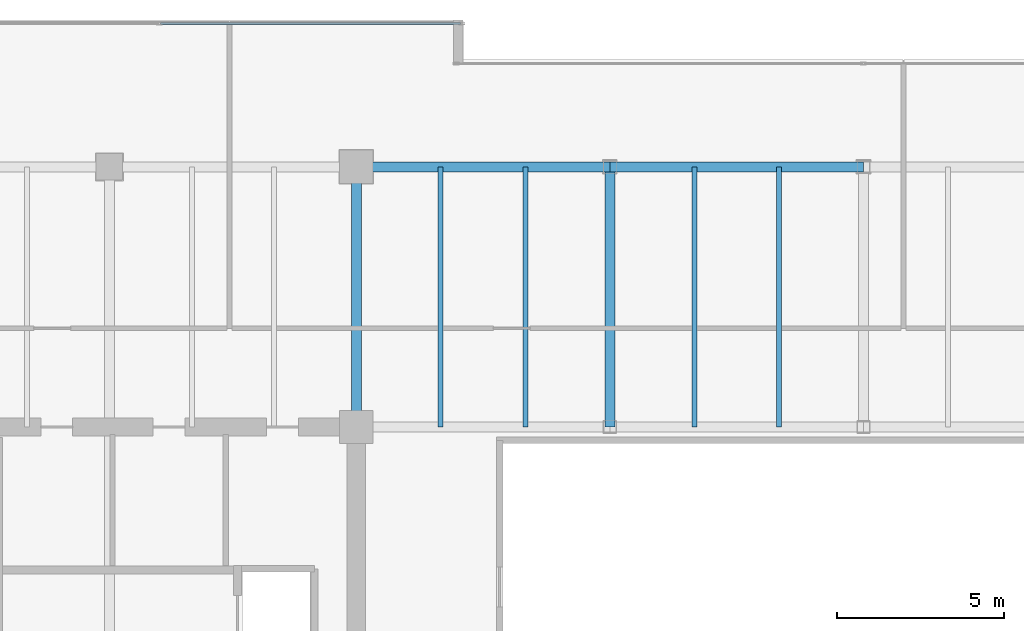
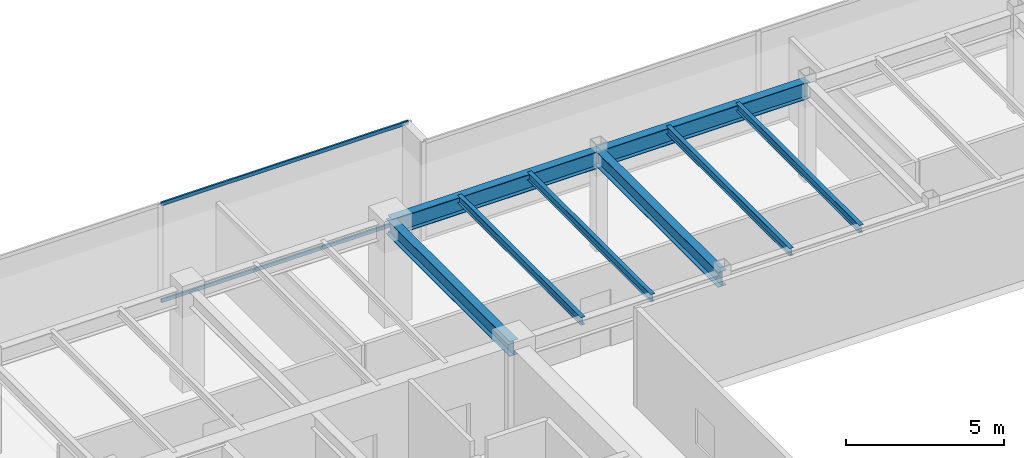
# One storey, part 16 of 35: 8 beams, 2 members, 1 element without a shape of its own.
"""IFC4 building model written with IfcOpenShell, lengths in metres."""

from ifc_helpers import new_model, si_unit, direction, frame, origin, origin_2d, place, context, subcontext, project, spatial, hollow_rectangle, i_section, extrude, source, transform, mapped, material, layer, layer_set, material_profile, profile_set, type_object, type_shapes, element, aggregate, save


model = new_model("IFC4")

# Units and contexts
model_context = context("Model", 3, precision=1e-05, world=origin(), true_north=direction((0.0, 1.0)))
body_context = subcontext(model_context, "Body", "Model", "MODEL_VIEW")
ifc_project = project(units=[si_unit("LENGTHUNIT", "METRE"), si_unit("AREAUNIT", "SQUARE_METRE"), si_unit("VOLUMEUNIT", "CUBIC_METRE"), si_unit("PLANEANGLEUNIT", "RADIAN"), si_unit("MASSUNIT", "GRAM", prefix="KILO")], contexts=[model_context])

# Site, building, storey
site_placement = place(None, origin())
site = spatial("IfcSite", under=ifc_project, at=site_placement, CompositionType="ELEMENT")
building_placement = place(site_placement, origin())
building = spatial("IfcBuilding", under=site, at=building_placement, Name="Haelvirn Gate Laboratories", CompositionType="ELEMENT")
storey_placement = place(building_placement, frame((0.0, 0.0, 221.89990234375)))
storey = spatial("IfcBuildingStorey", under=building, at=storey_placement, Name="L53", CompositionType="ELEMENT", Elevation=221.89990234375)

# Beams
ifc_material_1 = material(Name="Steel SM355", Category="steel")
ifc_material_profile_1 = material_profile(ifc_material_1, i_section(OverallWidth=0.14990234375, OverallDepth=0.300048828125, WebThickness=0.006591796875, FlangeThickness=0.009033203125, at=origin_2d()), Name="H-300x150x6.5x9")
ifc_profile_set_1 = profile_set([ifc_material_profile_1], Name="Steel SM355")
beam_type_1 = type_object("IfcBeamType", Name="BM-J-300", PredefinedType="JOIST", material=ifc_profile_set_1)
shared_shape_1 = source(origin(), body_context, "Body", "SweptSolid", [
    extrude(i_section(OverallWidth=0.14990234375, OverallDepth=0.300048828125, WebThickness=0.006591796875, FlangeThickness=0.009033203125, at=origin_2d()), origin(), (0.0, 0.0, 1.0), 7.800048828125),
])
type_shapes(beam_type_1, [shared_shape_1])
for number, where, z_axis, x_axis, name in (
    (1, (24.72998046875, 33.800048828125, 3.650146484375), (0.0, 1.0, 0.0), (-1.0, 0.0, 0.0), "L53 Composite Lab Joist North X24.73"),
    (2, (27.27001953125, 33.800048828125, 3.650146484375), (0.0, 1.0, 0.0), (-1.0, 0.0, 0.0), "L53 Composite Lab Joist North X27.27"),
    (3, (32.330078125, 33.800048828125, 3.650146484375), (0.0, 1.0, 0.0), (-1.0, 0.0, 0.0), "L53 Composite Lab Joist North X32.33"),
    (4, (34.8701171875, 33.800048828125, 3.650146484375), (0.0, 1.0, 0.0), (-1.0, 0.0, 0.0), "L53 Composite Lab Joist North X34.87"),
):
    element("IfcBeam", number, at=place(storey_placement, frame(where, z_axis=z_axis, x_axis=x_axis)), inside=storey, type_object=beam_type_1, Name=name, PredefinedType="JOIST", context=body_context, shape_type="MappedRepresentation", body=[
        mapped(shared_shape_1, transform((0.0, 0.0, 0.0), scale=1.0)),
    ])
ifc_material_profile_2 = material_profile(ifc_material_1, i_section(OverallWidth=0.300048828125, OverallDepth=0.587890625, WebThickness=0.011962890625, FlangeThickness=0.02001953125, at=origin_2d()), Name="H-588x300x12x20")
ifc_profile_set_2 = profile_set([ifc_material_profile_2], Name="Steel SM355")
beam_type_2 = type_object("IfcBeamType", Name="BM-G-588", PredefinedType="BEAM", material=ifc_profile_set_2)
shared_shape_2 = source(origin(), body_context, "Body", "SweptSolid", [
    extrude(i_section(OverallWidth=0.300048828125, OverallDepth=0.587890625, WebThickness=0.011962890625, FlangeThickness=0.02001953125, at=origin_2d()), origin(), (0.0, 0.0, 1.0), 7.800048828125),
])
type_shapes(beam_type_2, [shared_shape_2])
for number, where, z_axis, x_axis, name in (
    (5, (22.199951171875, 33.800048828125, 3.506103515625), (0.0, 1.0, 0.0), (-1.0, 0.0, 0.0), "L53 Frame Girder X22.2 (33.8-41.6)"),
    (6, (29.800048828125, 33.800048828125, 3.506103515625), (0.0, 1.0, 0.0), (-1.0, 0.0, 0.0), "L53 Frame Girder X29.8 (33.8-41.6)"),
):
    element("IfcBeam", number, at=place(storey_placement, frame(where, z_axis=z_axis, x_axis=x_axis)), inside=storey, type_object=beam_type_2, Name=name, PredefinedType="BEAM", context=body_context, shape_type="MappedRepresentation", body=[
        mapped(shared_shape_2, transform((0.0, 0.0, 0.0), scale=1.0)),
    ])
ifc_material_profile_3 = material_profile(ifc_material_1, i_section(OverallWidth=0.300048828125, OverallDepth=0.64990234375, WebThickness=0.012939453125, FlangeThickness=0.02197265625, at=origin_2d()), Name="H-650x300x13x22")
ifc_profile_set_3 = profile_set([ifc_material_profile_3], Name="Steel SM355")
beam_type_3 = type_object("IfcBeamType", Name="BM-G-650", PredefinedType="BEAM", material=ifc_profile_set_3)
shared_shape_3 = source(origin(), body_context, "Body", "SweptSolid", [
    extrude(i_section(OverallWidth=0.300048828125, OverallDepth=0.64990234375, WebThickness=0.012939453125, FlangeThickness=0.02197265625, at=origin_2d()), origin(), (0.0, 0.0, 1.0), 7.60009765625),
])
beam_1_placement = place(storey_placement, frame((22.199951171875, 41.60009765625, 3.47509765625), z_axis=(1.0, 0.0, 0.0), x_axis=(0.0, 1.0, 0.0)))
element("IfcBeam", 7, at=beam_1_placement, inside=storey, type_object=beam_type_3, Name="L53 Primary Girder Y41.6 (22.2-29.8)", PredefinedType="BEAM", context=body_context, shape_type="MappedRepresentation", body=[
    mapped(shared_shape_3, transform((0.0, 0.0, 0.0), scale=1.0)),
])
shared_shape_4 = source(origin(), body_context, "Body", "SweptSolid", [
    extrude(i_section(OverallWidth=0.300048828125, OverallDepth=0.64990234375, WebThickness=0.012939453125, FlangeThickness=0.02197265625, at=origin_2d()), origin(), (0.0, 0.0, 1.0), 7.599853515625),
])
type_shapes(beam_type_3, [shared_shape_3, shared_shape_4])
beam_2_placement = place(storey_placement, frame((29.800048828125, 41.60009765625, 3.47509765625), z_axis=(1.0, 0.0, 0.0), x_axis=(0.0, 1.0, 0.0)))
element("IfcBeam", 8, at=beam_2_placement, inside=storey, type_object=beam_type_3, Name="L53 Primary Girder Y41.6 (29.8-37.4)", PredefinedType="BEAM", context=body_context, shape_type="MappedRepresentation", body=[
    mapped(shared_shape_4, transform((0.0, 0.0, 0.0), scale=1.0)),
])

# Curtain wall, members
ifc_material_2 = material(Name="Anodised bronze unitised aluminium & triple low-E glass", Category="aluminium")
ifc_layer = layer(ifc_material_2, 0.176025390625, Name="CW-SYS-4")
ifc_layer_set = layer_set([ifc_layer], Name="Anodised bronze unitised aluminium & triple low-E glass")
curtain_wall_type = type_object("IfcCurtainWallType", Name="CW-SYS-4", PredefinedType="NOTDEFINED", material=ifc_layer_set)
curtain_wall_placement = place(storey_placement, origin())
curtain_wall = element("IfcCurtainWall", 9, at=curtain_wall_placement, inside=storey, type_object=curtain_wall_type, Name="L53 Unitised Curtain Wall CW-L53-P0-E14-1", PredefinedType="NOTDEFINED")
ifc_material_3 = material(Name="Extruded aluminium 6063-T6 (anodised bronze)", Category="aluminium")
ifc_material_profile_4 = material_profile(ifc_material_3, hollow_rectangle(XDim=0.06494140625, YDim=0.139892578125, WallThickness=0.00390625, at=origin_2d()), Name="CWT-140x65x4")
ifc_profile_set_4 = profile_set([ifc_material_profile_4], Name="Extruded aluminium 6063-T6 (anodised bronze)")
member_type = type_object("IfcMemberType", Name="CWT-T140", PredefinedType="USERDEFINED", material=ifc_profile_set_4)
shared_shape_5 = source(origin(), body_context, "Body", "SweptSolid", [
    extrude(hollow_rectangle(XDim=0.06494140625, YDim=0.139892578125, WallThickness=0.00390625, at=origin_2d()), origin(), (0.0, 0.0, 1.0), 8.9951171875),
])
type_shapes(member_type, [shared_shape_5])
member_1_placement = place(storey_placement, frame((16.3349609375, 45.89990234375, 0.03271484375), z_axis=(1.0, 0.0, 0.0), x_axis=(0.0, 1.0, 0.0)))
member_1 = element("IfcMember", 10, at=member_1_placement, type_object=member_type, Name="CW4 transom 2.1", ObjectType="TRANSOM", PredefinedType="USERDEFINED", context=body_context, shape_type="MappedRepresentation", body=[
    mapped(shared_shape_5, transform((0.0, 0.0, 0.0), scale=1.0)),
])
member_2_placement = place(storey_placement, frame((16.3349609375, 45.89990234375, 3.767578125), z_axis=(1.0, 0.0, 0.0), x_axis=(0.0, 1.0, 0.0)))
member_2 = element("IfcMember", 11, at=member_2_placement, type_object=member_type, Name="CW4 transom 2.2", ObjectType="TRANSOM", PredefinedType="USERDEFINED", context=body_context, shape_type="MappedRepresentation", body=[
    mapped(shared_shape_5, transform((0.0, 0.0, 0.0), scale=1.0)),
])
aggregate(curtain_wall, [member_1, member_2])

save(model, "model.ifc")
